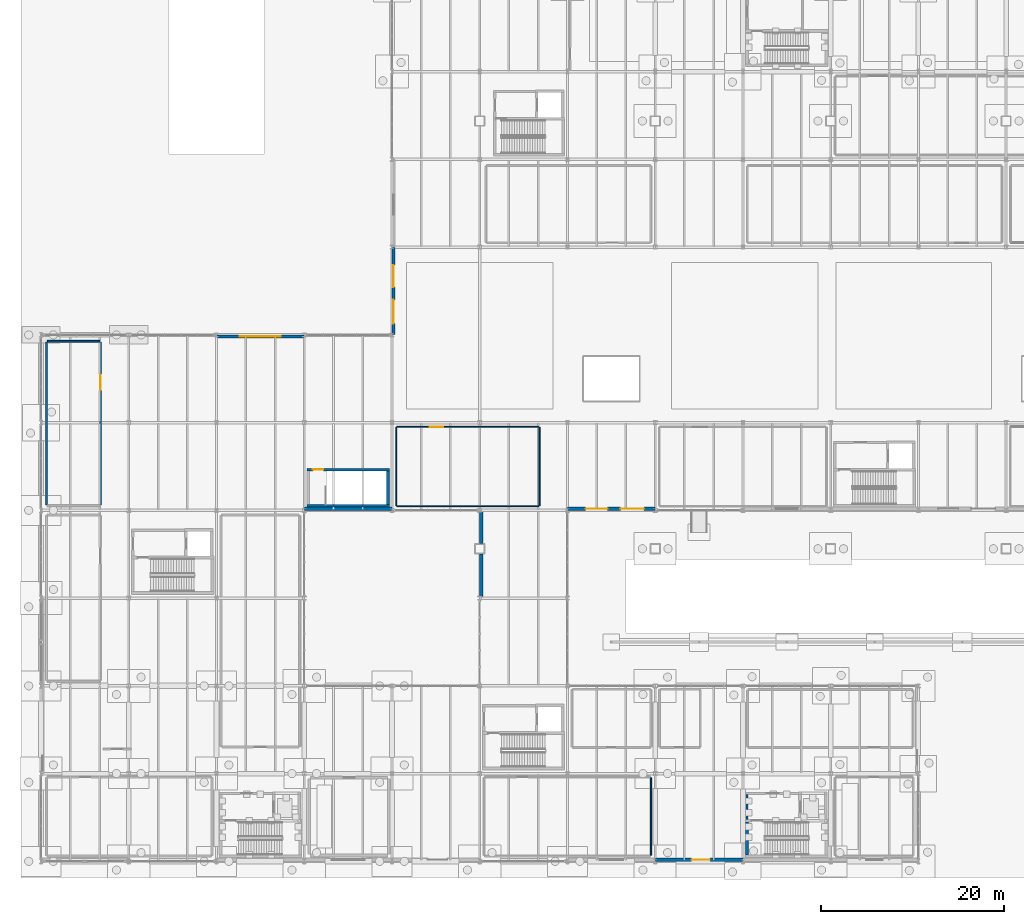
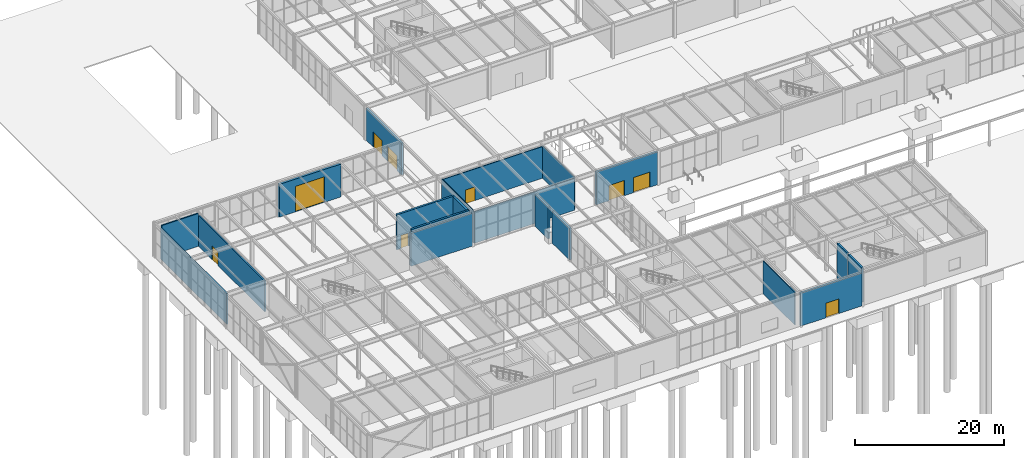
# One storey, part 118 of 142: 20 walls, 9 doors, 9 openings.
"""IFC4 building model written with IfcOpenShell, lengths in metres."""

import ifcopenshell
import ifcopenshell.guid

model = None  # the IFC model being written
_history = None  # IfcOwnerHistory: only IFC2X3 demands one
_inside = {}  # id of a spatial element -> (the spatial element, [elements in it])
_under = {}  # id of a project, library or spatial element -> (it, [spatial elements below it])
_declared = {}  # id of a project -> (the project, [libraries it declares])
_typed = {}  # id of a type object -> (the type object, [elements of that type])
_made_of = {}  # id of a material, layer set ... -> (it, [elements and type objects made of it])


def new_model(schema):
    """Start an empty IFC model of exactly this schema.

    Asked for "IFC4X3", IfcOpenShell would pick the latest addendum, in which some entities
    have other attributes; the version numbers below select the first issue.
    IFC2X3 requires an IfcOwnerHistory on every rooted entity: one is made here for all.
    """
    global model, _history
    if schema == "IFC4X3":
        model = ifcopenshell.file(schema_version=(4, 3, 0, 0))
    else:
        model = ifcopenshell.file(schema=schema)
    _inside.clear()
    _under.clear()
    _declared.clear()
    _typed.clear()
    _made_of.clear()
    _history = None
    if model.schema == "IFC2X3":
        org = make("IfcOrganization", Name="unknown")
        user = make(
            "IfcPersonAndOrganization",
            ThePerson=make("IfcPerson", FamilyName="unknown"),
            TheOrganization=org,
        )
        app = make(
            "IfcApplication",
            ApplicationDeveloper=org,
            Version="unknown",
            ApplicationFullName="unknown",
            ApplicationIdentifier="unknown",
        )
        _history = make(
            "IfcOwnerHistory",
            OwningUser=user,
            OwningApplication=app,
            ChangeAction="ADDED",
            CreationDate=0,
        )
    return model


def make(cls, **values):
    """One entity of the class cls with the attributes given. An attribute that is None is left unset."""
    return model.create_entity(
        cls, **{name: value for name, value in values.items() if value is not None}
    )


def rooted(cls, **values):
    """An entity with a GlobalId (a new one), such as an element, a storey or a relation."""
    return make(cls, GlobalId=ifcopenshell.guid.new(), OwnerHistory=_history, **values)


def si_unit(unit_type, name, prefix=None):
    """IfcSIUnit, for example si_unit("LENGTHUNIT", "METRE", prefix="MILLI")."""
    return make("IfcSIUnit", UnitType=unit_type, Prefix=prefix, Name=name)


def assignment(units):
    """IfcUnitAssignment: the units of a project."""
    return None if units is None else make("IfcUnitAssignment", Units=units)


def point(xyz):
    """IfcCartesianPoint."""
    return None if xyz is None else make("IfcCartesianPoint", Coordinates=xyz)


def direction(xyz):
    """IfcDirection."""
    return None if xyz is None else make("IfcDirection", DirectionRatios=xyz)


def frame(location, z_axis=None, x_axis=None):
    """IfcAxis2Placement3D, a coordinate frame: its origin and axes. An axis left out is left unset."""
    return make(
        "IfcAxis2Placement3D",
        Location=point(location),
        Axis=direction(z_axis),
        RefDirection=direction(x_axis),
    )


def frame_2d(location, x_axis=None):
    """IfcAxis2Placement2D, a coordinate frame in the plane: its origin and x axis."""
    return make(
        "IfcAxis2Placement2D", Location=point(location), RefDirection=direction(x_axis)
    )


def origin():
    """The frame at (0, 0, 0) with its axes left unset."""
    return frame((0.0, 0.0, 0.0))


def place(relative_to, where):
    """IfcLocalPlacement: puts the frame where relative to a parent placement (None: the world)."""
    return make(
        "IfcLocalPlacement", PlacementRelTo=relative_to, RelativePlacement=where
    )


def context(
    kind, dimensions, precision=None, world=None, true_north=None, identifier=None
):
    """IfcGeometricRepresentationContext, for example the 3D "Model" context."""
    return make(
        "IfcGeometricRepresentationContext",
        ContextIdentifier=identifier,
        ContextType=kind,
        CoordinateSpaceDimension=dimensions,
        Precision=precision,
        WorldCoordinateSystem=world,
        TrueNorth=true_north,
    )


def subcontext(parent, identifier, kind, view, scale=None):
    """IfcGeometricRepresentationSubContext, for example "Body" below "Model"."""
    return make(
        "IfcGeometricRepresentationSubContext",
        ContextIdentifier=identifier,
        ContextType=kind,
        ParentContext=parent,
        TargetScale=scale,
        TargetView=view,
    )


def project(units=None, contexts=None):
    """IfcProject with its units and contexts."""
    return rooted(
        "IfcProject",
        Name="project",
        RepresentationContexts=contexts,
        UnitsInContext=assignment(units),
    )


def spatial(cls, under=None, at=None, **own):
    """A site, building, storey or space (cls), placed at a placement, below another one or the project."""
    s = rooted(cls, ObjectPlacement=at, **own)
    if under is not None:
        _under.setdefault(under.id(), (under, []))[1].append(s)
    return s


def profile(cls, at=None, kind="AREA", **sizes):
    """A parametric profile (cls). Its sizes go by their IFC names, for example OverallWidth=200.0."""
    return make(cls, ProfileType=kind, Position=at, **sizes)


def rectangle(**sizes):
    """IfcRectangleProfileDef."""
    return profile("IfcRectangleProfileDef", **sizes)


def extrude(swept, where, along, depth):
    """IfcExtrudedAreaSolid: the profile swept, set in the frame where, extruded along a direction by depth."""
    return make(
        "IfcExtrudedAreaSolid",
        SweptArea=swept,
        Position=where,
        ExtrudedDirection=direction(along),
        Depth=depth,
    )


def shape(context_of_items, identifier, shape_type, items):
    """IfcShapeRepresentation: the items that make up one representation, for example the "Body"."""
    return make(
        "IfcShapeRepresentation",
        ContextOfItems=context_of_items,
        RepresentationIdentifier=identifier,
        RepresentationType=shape_type,
        Items=items,
    )


def material(Name=None, Category=None):
    """IfcMaterial."""
    return make("IfcMaterial", Name=Name, Category=Category)


def layer(
    of_material, thickness, ventilated=None, Name=None, Category=None, Priority=None
):
    """IfcMaterialLayer: one layer of a wall or slab, of a material (None: an air gap)."""
    return make(
        "IfcMaterialLayer",
        Material=of_material,
        LayerThickness=thickness,
        IsVentilated=ventilated,
        Name=Name,
        Category=Category,
        Priority=Priority,
    )


def layer_set(layers, Name=None):
    """IfcMaterialLayerSet."""
    return make("IfcMaterialLayerSet", MaterialLayers=layers, LayerSetName=Name)


def made_of(thing, what):
    """Note that an element or type object is made of a material, layer set ...; save() writes the relation."""
    if what is not None:
        _made_of.setdefault(what.id(), (what, []))[1].append(thing)
    return thing


def type_object(cls, material=None, **own):
    """A type object (cls), such as IfcWallType, which elements share."""
    return made_of(rooted(cls, **own), material)


def element(
    cls,
    number,
    at=None,
    inside=None,
    cuts=None,
    type_object=None,
    material=None,
    context=None,
    identifier="Body",
    shape_type=None,
    held_by="IfcProductDefinitionShape",
    body=None,
    shapes=None,
    **own,
):
    """One element of the class cls, such as IfcWall. Its Tag is "e" and its number.

    at: its placement. inside: the storey or other place that contains it. cuts: it is an
    opening in that element (IfcRelVoidsElement). A single representation is given by context,
    identifier, shape_type and body (its items); several are given by shapes. held_by: the class
    of the entity that holds the representations. save() writes the other relations.
    """
    e = rooted(cls, Tag="e%d" % number, ObjectPlacement=at, **own)
    if body is not None:
        shapes = [shape(context, identifier, shape_type, body)]
    if shapes is not None:
        e.Representation = make(held_by, Representations=shapes)
    if inside is not None:
        _inside.setdefault(inside.id(), (inside, []))[1].append(e)
    if cuts is not None:
        rooted(
            "IfcRelVoidsElement", RelatingBuildingElement=cuts, RelatedOpeningElement=e
        )
    if type_object is not None:
        _typed.setdefault(type_object.id(), (type_object, []))[1].append(e)
    return made_of(e, material)


def fill(opening, filler):
    """IfcRelFillsElement: the door or window that sits in an opening."""
    return rooted(
        "IfcRelFillsElement",
        RelatingOpeningElement=opening,
        RelatedBuildingElement=filler,
    )


def aggregate(whole, parts):
    """IfcRelAggregates: a whole, such as a stair, and the parts it consists of."""
    return rooted("IfcRelAggregates", RelatingObject=whole, RelatedObjects=parts)


def save(model, path):
    """Write the relations noted so far, then the file.

    IfcRelAggregates (storeys below a building ...), IfcRelContainedInSpatialStructure (elements
    in a storey), IfcRelDefinesByType, IfcRelAssociatesMaterial and IfcRelDeclares: one each for
    every whole, place, type object, material and project.
    """
    for whole, parts in _under.values():
        aggregate(whole, parts)
    for where, things in _inside.values():
        rooted(
            "IfcRelContainedInSpatialStructure",
            RelatedElements=things,
            RelatingStructure=where,
        )
    for kind, things in _typed.values():
        rooted("IfcRelDefinesByType", RelatedObjects=things, RelatingType=kind)
    for what, things in _made_of.values():
        rooted("IfcRelAssociatesMaterial", RelatedObjects=things, RelatingMaterial=what)
    for by, libraries in _declared.values():
        rooted("IfcRelDeclares", RelatingContext=by, RelatedDefinitions=libraries)
    model.write(path)


model = new_model("IFC4")

# Units and contexts
model_context = context("Model", 3, precision=1e-05, world=origin(), true_north=direction((0.0, 1.0)))
body_context = subcontext(model_context, "Body", "Model", "MODEL_VIEW")
ifc_project = project(units=[si_unit("LENGTHUNIT", "METRE"), si_unit("AREAUNIT", "SQUARE_METRE"), si_unit("VOLUMEUNIT", "CUBIC_METRE"), si_unit("PLANEANGLEUNIT", "RADIAN"), si_unit("MASSUNIT", "GRAM", prefix="KILO")], contexts=[model_context])

# Site, building, storey
site_placement = place(None, origin())
site = spatial("IfcSite", under=ifc_project, at=site_placement, CompositionType="ELEMENT")
building_placement = place(site_placement, origin())
building = spatial("IfcBuilding", under=site, at=building_placement, Name="Coralgate Yard Interchange", CompositionType="ELEMENT")
storey_placement = place(building_placement, origin())
storey = spatial("IfcBuildingStorey", under=building, at=storey_placement, Name="L00", CompositionType="ELEMENT", Elevation=0.0)

# Wall
ifc_material_1 = material(Name="Concrete C40/50", Category="concrete")
ifc_layer_1 = layer(ifc_material_1, 0.300048828125)
ifc_layer_set_1 = layer_set([ifc_layer_1], Name="Concrete C40/50")
wall_type_1 = type_object("IfcWallType", Name="WAL-CW300", PredefinedType="SHEAR", material=ifc_layer_set_1)
wall_1_placement = place(storey_placement, frame((29.10009765625, 38.89990234375, 0.0), z_axis=(0.0, 0.0, 1.0), x_axis=(1.0, 0.0, 0.0)))
element("IfcWall", 1, at=wall_1_placement, inside=storey, type_object=wall_type_1, Name="C12 L00 stair south shear wall", PredefinedType="SHEAR", context=body_context, shape_type="SweptSolid", body=[
    extrude(rectangle(XDim=9.0, YDim=0.300048828125, at=frame_2d((4.5, 0.0))), origin(), (0.0, 0.0, 1.0), 5.75),
])

# Wall, opening, door
wall_2_placement = place(storey_placement, frame((38.10009765625, 42.85009765625, 0.0), z_axis=(0.0, 0.0, 1.0), x_axis=(-1.0, 0.0, 0.0)))
wall_2 = element("IfcWall", 2, at=wall_2_placement, inside=storey, type_object=wall_type_1, Name="C12 L00 stair north shear wall", PredefinedType="SHEAR", context=body_context, shape_type="SweptSolid", body=[
    extrude(rectangle(XDim=9.0, YDim=0.300048828125, at=frame_2d((4.5, 0.0))), origin(), (0.0, 0.0, 1.0), 5.75),
])
opening_1_placement = place(wall_2_placement, frame((7.199951171875, 0.0, 0.0)))
opening_1 = element("IfcOpeningElement", 3, at=opening_1_placement, cuts=wall_2, Name="Opening FD-1B", PredefinedType="OPENING", context=body_context, shape_type="SweptSolid", body=[
    extrude(rectangle(XDim=1.14990234375, YDim=2.14990234375, at=frame_2d((0.574951171875, 1.074951171875))), frame((0.0, 0.159912109375, 0.0), z_axis=(0.0, -1.0, 0.0), x_axis=(1.0, 0.0, 0.0)), (0.0, 0.0, 1.0), 0.320068359375),
])
ifc_material_2 = material(Name="Powder-coated steel fire door assembly", Category="steel")
door_type_1 = type_object("IfcDoorType", Name="DOR-FD-1B", OperationType="NOTDEFINED", PredefinedType="DOOR", material=ifc_material_2)
door_1_placement = place(opening_1_placement, origin())
door_1 = element("IfcDoor", 4, at=door_1_placement, inside=storey, type_object=door_type_1, Name="C12 L00 stair fire door", OperationType="SINGLE_SWING_RIGHT", OverallHeight=2.14990234375, OverallWidth=1.14990234375, PredefinedType="DOOR", context=body_context, shape_type="SweptSolid", body=[
    extrude(rectangle(XDim=1.14990234375, YDim=2.14990234375, at=frame_2d((0.574951171875, 1.074951171875))), frame((0.0, 0.02490234375, 0.0), z_axis=(0.0, -1.0, 0.0), x_axis=(1.0, 0.0, 0.0)), (0.0, 0.0, 1.0), 0.050048828125),
])
fill(opening_1, door_1)

# Walls
wall_3_placement = place(storey_placement, frame((37.949951171875, 42.699951171875, 0.0), z_axis=(0.0, 0.0, 1.0), x_axis=(0.0, -1.0, 0.0)))
element("IfcWall", 5, at=wall_3_placement, inside=storey, type_object=wall_type_1, Name="C12 L00 stair east shear wall", PredefinedType="SHEAR", context=body_context, shape_type="SweptSolid", body=[
    extrude(rectangle(XDim=3.64990234375, YDim=0.300048828125, at=frame_2d((1.824951171875, 0.0))), origin(), (0.0, 0.0, 1.0), 5.75),
])
wall_4_placement = place(storey_placement, frame((77.25, 0.719970703125, 0.0), z_axis=(0.0, 0.0, 1.0), x_axis=(0.0, 1.0, 0.0)))
element("IfcWall", 6, at=wall_4_placement, inside=storey, type_object=wall_type_1, Name="C4 L00 stair west shear wall", PredefinedType="SHEAR", context=body_context, shape_type="SweptSolid", body=[
    extrude(rectangle(XDim=3.580078125, YDim=0.300048828125, at=frame_2d((1.7900390625, 0.0))), origin(), (0.0, 0.0, 1.0), 5.75),
])

# Wall, opening, door
ifc_material_3 = material(Name="Precast concrete C40/50", Category="concrete")
ifc_layer_2 = layer(ifc_material_3, 0.35009765625)
ifc_layer_set_2 = layer_set([ifc_layer_2], Name="Precast concrete C40/50")
wall_type_2 = type_object("IfcWallType", Name="WAL-EW-350", PredefinedType="SOLIDWALL", material=ifc_layer_set_2)
wall_5_placement = place(storey_placement, frame((19.219970703125, 57.425048828125, 0.0), z_axis=(0.0, 0.0, 1.0), x_axis=(1.0, 0.0, 0.0)))
wall_5 = element("IfcWall", 7, at=wall_5_placement, inside=storey, type_object=wall_type_2, Name="L00 exterior coastal wall N 2-5", PredefinedType="SOLIDWALL", context=body_context, shape_type="SweptSolid", body=[
    extrude(rectangle(XDim=9.56005859375, YDim=0.35009765625, at=frame_2d((4.780029296875, 0.0))), origin(), (0.0, 0.0, 1.0), 5.39990234375),
])
opening_2_placement = place(wall_5_placement, frame((2.530029296875, 0.0, 0.0)))
opening_2 = element("IfcOpeningElement", 8, at=opening_2_placement, cuts=wall_5, Name="Opening SH-01", PredefinedType="OPENING", context=body_context, shape_type="SweptSolid", body=[
    extrude(rectangle(XDim=4.5, YDim=4.199951171875, at=frame_2d((2.25, 2.10009765625))), frame((0.0, 0.18505859375, 0.0), z_axis=(0.0, -1.0, 0.0), x_axis=(1.0, 0.0, 0.0)), (0.0, 0.0, 1.0), 0.3701171875),
])
ifc_material_4 = material(Name="Insulated galvanised steel motorised roller shutter", Category="steel")
door_type_2 = type_object("IfcDoorType", Name="DOR-SH-01", OperationType="ROLLINGUP", PredefinedType="DOOR", material=ifc_material_4)
door_2_placement = place(opening_2_placement, origin())
door_2 = element("IfcDoor", 9, at=door_2_placement, inside=storey, type_object=door_type_2, Name="Loading bay motorised roller shutter SH-01", OperationType="ROLLINGUP", OverallHeight=4.199951171875, OverallWidth=4.5, PredefinedType="DOOR", context=body_context, shape_type="SweptSolid", body=[
    extrude(rectangle(XDim=4.5, YDim=4.199951171875, at=frame_2d((2.25, 2.10009765625))), frame((0.0, 0.02490234375, 0.0), z_axis=(0.0, -1.0, 0.0), x_axis=(1.0, 0.0, 0.0)), (0.0, 0.0, 1.0), 0.050048828125),
])
fill(opening_2, door_2)

# Wall
wall_6_placement = place(storey_placement, frame((38.3798828125, 38.574951171875, 0.0), z_axis=(0.0, 0.0, 1.0), x_axis=(-1.0, 0.0, 0.0)))
element("IfcWall", 10, at=wall_6_placement, inside=storey, type_object=wall_type_2, Name="L00 exterior coastal wall S 3-4", PredefinedType="SOLIDWALL", context=body_context, shape_type="SweptSolid", body=[
    extrude(rectangle(XDim=9.559814453125, YDim=0.35009765625, at=frame_2d((4.77978515625, 0.0))), origin(), (0.0, 0.0, 1.0), 5.39990234375),
])

# Wall, openings, doors
wall_7_placement = place(storey_placement, frame((38.574951171875, 57.6201171875, 0.0), z_axis=(0.0, 0.0, 1.0), x_axis=(0.0, 1.0, 0.0)))
wall_7 = element("IfcWall", 11, at=wall_7_placement, inside=storey, type_object=wall_type_2, Name="L00 exterior coastal wall W 4-6", PredefinedType="SOLIDWALL", context=body_context, shape_type="SweptSolid", body=[
    extrude(rectangle(XDim=9.559814453125, YDim=0.35009765625, at=frame_2d((4.77978515625, 0.0))), origin(), (0.0, 0.0, 1.0), 5.216796875),
])
opening_3_placement = place(wall_7_placement, frame((1.199951171875, 0.0, 0.0)))
opening_3 = element("IfcOpeningElement", 12, at=opening_3_placement, cuts=wall_7, Name="Opening ED-6", PredefinedType="OPENING", context=body_context, shape_type="SweptSolid", body=[
    extrude(rectangle(XDim=2.60009765625, YDim=2.5, at=frame_2d((1.300048828125, 1.25))), frame((0.0, 0.18505859375, 0.0), z_axis=(0.0, -1.0, 0.0), x_axis=(1.0, 0.0, 0.0)), (0.0, 0.0, 1.0), 0.3701171875),
])
opening_4_placement = place(wall_7_placement, frame((5.199951171875, 0.0, 0.0)))
opening_4 = element("IfcOpeningElement", 13, at=opening_4_placement, cuts=wall_7, Name="Opening ED-2", PredefinedType="OPENING", context=body_context, shape_type="SweptSolid", body=[
    extrude(rectangle(XDim=2.39990234375, YDim=2.5, at=frame_2d((1.199951171875, 1.25))), frame((0.0, 0.18505859375, 0.0), z_axis=(0.0, -1.0, 0.0), x_axis=(1.0, 0.0, 0.0)), (0.0, 0.0, 1.0), 0.3701171875),
])
ifc_material_5 = material(Name="Anodised aluminium concourse entrance double door", Category="aluminium")
door_type_3 = type_object("IfcDoorType", Name="DOR-ED-2", OperationType="NOTDEFINED", PredefinedType="DOOR", material=ifc_material_5)
door_3_placement = place(opening_4_placement, origin())
door_3 = element("IfcDoor", 14, at=door_3_placement, inside=storey, type_object=door_type_3, Name="L00 final exit double door ED-04", OperationType="DOUBLE_DOOR_SINGLE_SWING", OverallHeight=2.5, OverallWidth=2.39990234375, PredefinedType="DOOR", context=body_context, shape_type="SweptSolid", body=[
    extrude(rectangle(XDim=2.39990234375, YDim=2.5, at=frame_2d((1.199951171875, 1.25))), frame((0.0, 0.02490234375, 0.0), z_axis=(0.0, -1.0, 0.0), x_axis=(1.0, 0.0, 0.0)), (0.0, 0.0, 1.0), 0.050048828125),
])
fill(opening_4, door_3)
ifc_material_6 = material(Name="Anodised aluminium main concourse double door", Category="aluminium")
door_type_4 = type_object("IfcDoorType", Name="DOR-ED-6", OperationType="NOTDEFINED", PredefinedType="DOOR", material=ifc_material_6)
door_4_placement = place(opening_3_placement, origin())
door_4 = element("IfcDoor", 15, at=door_4_placement, inside=storey, type_object=door_type_4, Name="L00 final exit double door ED-03", OperationType="DOUBLE_DOOR_SINGLE_SWING", OverallHeight=2.5, OverallWidth=2.60009765625, PredefinedType="DOOR", context=body_context, shape_type="SweptSolid", body=[
    extrude(rectangle(XDim=2.60009765625, YDim=2.5, at=frame_2d((1.300048828125, 1.25))), frame((0.0, 0.02490234375, 0.0), z_axis=(0.0, -1.0, 0.0), x_axis=(1.0, 0.0, 0.0)), (0.0, 0.0, 1.0), 0.050048828125),
])
fill(opening_3, door_4)

# Walls
wall_8_placement = place(storey_placement, frame((48.175048828125, 29.0, 0.0), z_axis=(0.0, 0.0, 1.0), x_axis=(0.0, 1.0, 0.0)))
element("IfcWall", 16, at=wall_8_placement, inside=storey, type_object=wall_type_2, Name="L00 arch pedestal abutment wall S", PredefinedType="SOLIDWALL", context=body_context, shape_type="SweptSolid", body=[
    extrude(rectangle(XDim=4.639892578125, YDim=0.35009765625, at=frame_2d((2.31982421875, 0.0))), origin(), (0.0, 0.0, 1.0), 5.216796875),
])
wall_9_placement = place(storey_placement, frame((48.175048828125, 34.760009765625, 0.0), z_axis=(0.0, 0.0, 1.0), x_axis=(0.0, 1.0, 0.0)))
element("IfcWall", 17, at=wall_9_placement, inside=storey, type_object=wall_type_2, Name="L00 arch pedestal abutment wall N", PredefinedType="SOLIDWALL", context=body_context, shape_type="SweptSolid", body=[
    extrude(rectangle(XDim=3.43994140625, YDim=0.35009765625, at=frame_2d((1.719970703125, 0.0))), origin(), (0.0, 0.0, 1.0), 5.216796875),
])

# Wall, openings, doors
wall_10_placement = place(storey_placement, frame((67.179931640625, 38.574951171875, 0.0), z_axis=(0.0, 0.0, 1.0), x_axis=(-1.0, 0.0, 0.0)))
wall_10 = element("IfcWall", 18, at=wall_10_placement, inside=storey, type_object=wall_type_2, Name="L00 exterior coastal wall S 6-4", PredefinedType="SOLIDWALL", context=body_context, shape_type="SweptSolid", body=[
    extrude(rectangle(XDim=9.559814453125, YDim=0.35009765625, at=frame_2d((4.77978515625, 0.0))), origin(), (0.0, 0.0, 1.0), 5.39990234375),
])
opening_5_placement = place(wall_10_placement, frame((1.199951171875, 0.0, 0.0)))
opening_5 = element("IfcOpeningElement", 19, at=opening_5_placement, cuts=wall_10, Name="Opening ED-6", PredefinedType="OPENING", context=body_context, shape_type="SweptSolid", body=[
    extrude(rectangle(XDim=2.60009765625, YDim=2.5, at=frame_2d((1.300048828125, 1.25))), frame((0.0, 0.18505859375, 0.0), z_axis=(0.0, -1.0, 0.0), x_axis=(1.0, 0.0, 0.0)), (0.0, 0.0, 1.0), 0.3701171875),
])
opening_6_placement = place(wall_10_placement, frame((5.199951171875, 0.0, 0.0)))
opening_6 = element("IfcOpeningElement", 20, at=opening_6_placement, cuts=wall_10, Name="Opening ED-2", PredefinedType="OPENING", context=body_context, shape_type="SweptSolid", body=[
    extrude(rectangle(XDim=2.39990234375, YDim=2.5, at=frame_2d((1.199951171875, 1.25))), frame((0.0, 0.18505859375, 0.0), z_axis=(0.0, -1.0, 0.0), x_axis=(1.0, 0.0, 0.0)), (0.0, 0.0, 1.0), 0.3701171875),
])
door_5_placement = place(opening_6_placement, origin())
door_5 = element("IfcDoor", 21, at=door_5_placement, inside=storey, type_object=door_type_3, Name="L00 final exit double door ED-08", OperationType="DOUBLE_DOOR_SINGLE_SWING", OverallHeight=2.5, OverallWidth=2.39990234375, PredefinedType="DOOR", context=body_context, shape_type="SweptSolid", body=[
    extrude(rectangle(XDim=2.39990234375, YDim=2.5, at=frame_2d((1.199951171875, 1.25))), frame((0.0, 0.02490234375, 0.0), z_axis=(0.0, -1.0, 0.0), x_axis=(1.0, 0.0, 0.0)), (0.0, 0.0, 1.0), 0.050048828125),
])
fill(opening_6, door_5)
door_6_placement = place(opening_5_placement, origin())
door_6 = element("IfcDoor", 22, at=door_6_placement, inside=storey, type_object=door_type_4, Name="L00 final exit double door ED-07", OperationType="DOUBLE_DOOR_SINGLE_SWING", OverallHeight=2.5, OverallWidth=2.60009765625, PredefinedType="DOOR", context=body_context, shape_type="SweptSolid", body=[
    extrude(rectangle(XDim=2.60009765625, YDim=2.5, at=frame_2d((1.300048828125, 1.25))), frame((0.0, 0.02490234375, 0.0), z_axis=(0.0, -1.0, 0.0), x_axis=(1.0, 0.0, 0.0)), (0.0, 0.0, 1.0), 0.050048828125),
])
fill(opening_5, door_6)

# Wall, opening, door
wall_11_placement = place(storey_placement, frame((76.780029296875, 0.175048828125, 0.0), z_axis=(0.0, 0.0, 1.0), x_axis=(-1.0, 0.0, 0.0)))
wall_11 = element("IfcWall", 23, at=wall_11_placement, inside=storey, type_object=wall_type_2, Name="L00 exterior coastal wall S 7-0", PredefinedType="SOLIDWALL", context=body_context, shape_type="SweptSolid", body=[
    extrude(rectangle(XDim=9.56005859375, YDim=0.35009765625, at=frame_2d((4.780029296875, 0.0))), origin(), (0.0, 0.0, 1.0), 5.39990234375),
])
opening_7_placement = place(wall_11_placement, frame((3.60009765625, 0.0, 0.0)))
opening_7 = element("IfcOpeningElement", 24, at=opening_7_placement, cuts=wall_11, Name="Opening ED-1", PredefinedType="OPENING", context=body_context, shape_type="SweptSolid", body=[
    extrude(rectangle(XDim=2.0, YDim=2.39990234375, at=frame_2d((1.0, 1.199951171875))), frame((0.0, 0.18505859375, 0.0), z_axis=(0.0, -1.0, 0.0), x_axis=(1.0, 0.0, 0.0)), (0.0, 0.0, 1.0), 0.3701171875),
])
ifc_material_7 = material(Name="Anodised aluminium and toughened glass double exit door", Category="aluminium")
door_type_5 = type_object("IfcDoorType", Name="DOR-ED-1", OperationType="NOTDEFINED", PredefinedType="DOOR", material=ifc_material_7)
door_7_placement = place(opening_7_placement, origin())
door_7 = element("IfcDoor", 25, at=door_7_placement, inside=storey, type_object=door_type_5, Name="L00 final exit double door ED-11", OperationType="DOUBLE_DOOR_SINGLE_SWING", OverallHeight=2.39990234375, OverallWidth=2.0, PredefinedType="DOOR", context=body_context, shape_type="SweptSolid", body=[
    extrude(rectangle(XDim=2.0, YDim=2.39990234375, at=frame_2d((1.0, 1.199951171875))), frame((0.0, 0.02490234375, 0.0), z_axis=(0.0, -1.0, 0.0), x_axis=(1.0, 0.0, 0.0)), (0.0, 0.0, 1.0), 0.050048828125),
])
fill(opening_7, door_7)

# Wall
ifc_material_8 = material(Name="Lightweight steel-stud retail partition", Category="steel")
ifc_layer_3 = layer(ifc_material_8, 0.1201171875)
ifc_layer_set_3 = layer_set([ifc_layer_3], Name="Lightweight steel-stud retail partition")
wall_type_3 = type_object("IfcWallType", Name="WAL-PW-120", PredefinedType="PARTITIONING", material=ifc_layer_set_3)
wall_12_placement = place(storey_placement, frame((54.47998046875, 38.860107421875, 0.0), z_axis=(0.0, 0.0, 1.0), x_axis=(-1.0, 0.0, 0.0)))
element("IfcWall", 26, at=wall_12_placement, inside=storey, type_object=wall_type_3, Name="Concourse Travel Retail 01 partition S", PredefinedType="PARTITIONING", context=body_context, shape_type="SweptSolid", body=[
    extrude(rectangle(XDim=15.56005859375, YDim=0.1201171875, at=frame_2d((7.780029296875, 0.0))), origin(), (0.0, 0.0, 1.0), 5.206787109375),
])

# Wall, opening, door
wall_13_placement = place(storey_placement, frame((38.919921875, 47.5400390625, 0.0), z_axis=(0.0, 0.0, 1.0), x_axis=(1.0, 0.0, 0.0)))
wall_13 = element("IfcWall", 27, at=wall_13_placement, inside=storey, type_object=wall_type_3, Name="Concourse Travel Retail 01 partition N", PredefinedType="PARTITIONING", context=body_context, shape_type="SweptSolid", body=[
    extrude(rectangle(XDim=15.56005859375, YDim=0.1201171875, at=frame_2d((7.780029296875, 0.0))), origin(), (0.0, 0.0, 1.0), 5.206787109375),
])
opening_8_placement = place(wall_13_placement, frame((3.60009765625, 0.0, 0.0)))
opening_8 = element("IfcOpeningElement", 28, at=opening_8_placement, cuts=wall_13, Name="Opening ID-06", PredefinedType="OPENING", context=body_context, shape_type="SweptSolid", body=[
    extrude(rectangle(XDim=1.5, YDim=2.25, at=frame_2d((0.75, 1.125))), frame((0.0, 0.070068359375, 0.0), z_axis=(0.0, -1.0, 0.0), x_axis=(1.0, 0.0, 0.0)), (0.0, 0.0, 1.0), 0.14013671875),
])
ifc_material_9 = material(Name="Glazed aluminium retail and cafe double door", Category="aluminium")
door_type_6 = type_object("IfcDoorType", Name="DOR-ID-06", OperationType="NOTDEFINED", PredefinedType="DOOR", material=ifc_material_9)
door_8_placement = place(opening_8_placement, frame((1.5, 0.0, 0.0), z_axis=(0.0, 0.0, 1.0), x_axis=(-1.0, 0.0, 0.0)))
door_8 = element("IfcDoor", 29, at=door_8_placement, inside=storey, type_object=door_type_6, Name="Concourse Travel Retail 01 door", OperationType="DOUBLE_DOOR_SINGLE_SWING", OverallHeight=2.25, OverallWidth=1.5, PredefinedType="DOOR", context=body_context, shape_type="SweptSolid", body=[
    extrude(rectangle(XDim=1.5, YDim=2.25, at=frame_2d((0.75, 1.125))), frame((0.0, 0.02490234375, 0.0), z_axis=(0.0, -1.0, 0.0), x_axis=(1.0, 0.0, 0.0)), (0.0, 0.0, 1.0), 0.050048828125),
])
fill(opening_8, door_8)

# Walls
for number, where, z_axis, x_axis, name in (
    (30, (38.860107421875, 38.919921875, 0.0), (0.0, 0.0, 1.0), (0.0, 1.0, 0.0), "Concourse Travel Retail 01 partition W"),
    (31, (54.5400390625, 47.47998046875, 0.0), (0.0, 0.0, 1.0), (0.0, -1.0, 0.0), "Concourse Travel Retail 01 partition E"),
):
    element("IfcWall", number, at=place(storey_placement, frame(where, z_axis=z_axis, x_axis=x_axis)), inside=storey, type_object=wall_type_3, Name=name, PredefinedType="PARTITIONING", context=body_context, shape_type="SweptSolid", body=[
        extrude(rectangle(XDim=8.56005859375, YDim=0.1201171875, at=frame_2d((4.280029296875, 0.0))), origin(), (0.0, 0.0, 1.0), 5.389892578125),
    ])
ifc_material_10 = material(Name="Acoustic twin-stud office partition")
ifc_layer_4 = layer(ifc_material_10, 0.139892578125)
ifc_layer_set_4 = layer_set([ifc_layer_4], Name="Acoustic twin-stud office partition")
wall_type_4 = type_object("IfcWallType", Name="WAL-PW-140", PredefinedType="PARTITIONING", material=ifc_layer_set_4)
wall_14_placement = place(storey_placement, frame((66.72998046875, 9.159912109375, 0.0), z_axis=(0.0, 0.0, 1.0), x_axis=(0.0, -1.0, 0.0)))
element("IfcWall", 32, at=wall_14_placement, inside=storey, type_object=wall_type_4, Name="Surface Bus Network Dispatch Room partition E", PredefinedType="PARTITIONING", context=body_context, shape_type="SweptSolid", body=[
    extrude(rectangle(XDim=8.52001953125, YDim=0.139892578125, at=frame_2d((4.260009765625, 0.0))), origin(), (0.0, 0.0, 1.0), 5.389892578125),
])
ifc_material_11 = material(Name="Concrete blockwork masonry", Category="masonry")
ifc_layer_5 = layer(ifc_material_11, 0.199951171875)
ifc_layer_set_5 = layer_set([ifc_layer_5], Name="Concrete blockwork masonry")
wall_type_5 = type_object("IfcWallType", Name="WAL-PW-200", PredefinedType="PARTITIONING", material=ifc_layer_set_5)
wall_15_placement = place(storey_placement, frame((0.699951171875, 56.89990234375, 0.0), z_axis=(0.0, 0.0, 1.0), x_axis=(1.0, 0.0, 0.0)))
element("IfcWall", 33, at=wall_15_placement, inside=storey, type_object=wall_type_5, Name="Standby Life-Safety Switchboard Room partition N", PredefinedType="PARTITIONING", context=body_context, shape_type="SweptSolid", body=[
    extrude(rectangle(XDim=5.699951171875, YDim=0.199951171875, at=frame_2d((2.85009765625, 0.0))), origin(), (0.0, 0.0, 1.0), 5.389892578125),
])
wall_16_placement = place(storey_placement, frame((0.60009765625, 39.0, 0.0), z_axis=(0.0, 0.0, 1.0), x_axis=(0.0, 1.0, 0.0)))
element("IfcWall", 34, at=wall_16_placement, inside=storey, type_object=wall_type_5, Name="Standby Life-Safety Switchboard Room partition W", PredefinedType="PARTITIONING", context=body_context, shape_type="SweptSolid", body=[
    extrude(rectangle(XDim=17.800048828125, YDim=0.199951171875, at=frame_2d((8.89990234375, 0.0))), origin(), (0.0, 0.0, 1.0), 5.056396484375),
])

# Wall, opening, door
wall_17_placement = place(storey_placement, frame((6.5, 56.800048828125, 0.0), z_axis=(0.0, 0.0, 1.0), x_axis=(0.0, -1.0, 0.0)))
wall_17 = element("IfcWall", 35, at=wall_17_placement, inside=storey, type_object=wall_type_5, Name="Standby Life-Safety Switchboard Room partition E", PredefinedType="PARTITIONING", context=body_context, shape_type="SweptSolid", body=[
    extrude(rectangle(XDim=17.800048828125, YDim=0.199951171875, at=frame_2d((8.89990234375, 0.0))), origin(), (0.0, 0.0, 1.0), 5.056396484375),
])
opening_9_placement = place(wall_17_placement, frame((3.60009765625, 0.0, 0.0)))
opening_9 = element("IfcOpeningElement", 36, at=opening_9_placement, cuts=wall_17, Name="Opening ID-07", PredefinedType="OPENING", context=body_context, shape_type="SweptSolid", body=[
    extrude(rectangle(XDim=1.60009765625, YDim=2.300048828125, at=frame_2d((0.800048828125, 1.14990234375))), frame((0.0, 0.10986328125, 0.0), z_axis=(0.0, -1.0, 0.0), x_axis=(1.0, 0.0, 0.0)), (0.0, 0.0, 1.0), 0.219970703125),
])
ifc_material_12 = material(Name="Powder-coated steel substation and plant double fire door", Category="steel")
door_type_7 = type_object("IfcDoorType", Name="DOR-ID-07", OperationType="NOTDEFINED", PredefinedType="DOOR", material=ifc_material_12)
door_9_placement = place(opening_9_placement, frame((1.60009765625, 0.0, 0.0), z_axis=(0.0, 0.0, 1.0), x_axis=(-1.0, 0.0, 0.0)))
door_9 = element("IfcDoor", 37, at=door_9_placement, inside=storey, type_object=door_type_7, Name="Standby Life-Safety Switchboard Room door", OperationType="DOUBLE_DOOR_SINGLE_SWING", OverallHeight=2.300048828125, OverallWidth=1.60009765625, PredefinedType="DOOR", context=body_context, shape_type="SweptSolid", body=[
    extrude(rectangle(XDim=1.60009765625, YDim=2.300048828125, at=frame_2d((0.800048828125, 1.14990234375))), frame((0.0, 0.02490234375, 0.0), z_axis=(0.0, -1.0, 0.0), x_axis=(1.0, 0.0, 0.0)), (0.0, 0.0, 1.0), 0.050048828125),
])
fill(opening_9, door_9)

# Wall
ifc_layer_6 = layer(ifc_material_1, 0.25)
ifc_layer_set_6 = layer_set([ifc_layer_6], Name="Concrete C40/50")
wall_type_6 = type_object("IfcWallType", Name="WAL-SW250", PredefinedType="SHEAR", material=ifc_layer_set_6)
wall_18_placement = place(storey_placement, frame((77.25, 4.60009765625, 0.0), z_axis=(0.0, 0.0, 1.0), x_axis=(0.0, 1.0, 0.0)))
element("IfcWall", 38, at=wall_18_placement, inside=storey, type_object=wall_type_6, Name="C4 L00 lobby west fire wall", PredefinedType="SHEAR", context=body_context, shape_type="SweptSolid", body=[
    extrude(rectangle(XDim=2.699951171875, YDim=0.25, at=frame_2d((1.35009765625, 0.0))), origin(), (0.0, 0.0, 1.0), 5.75),
])

save(model, "model.ifc")
